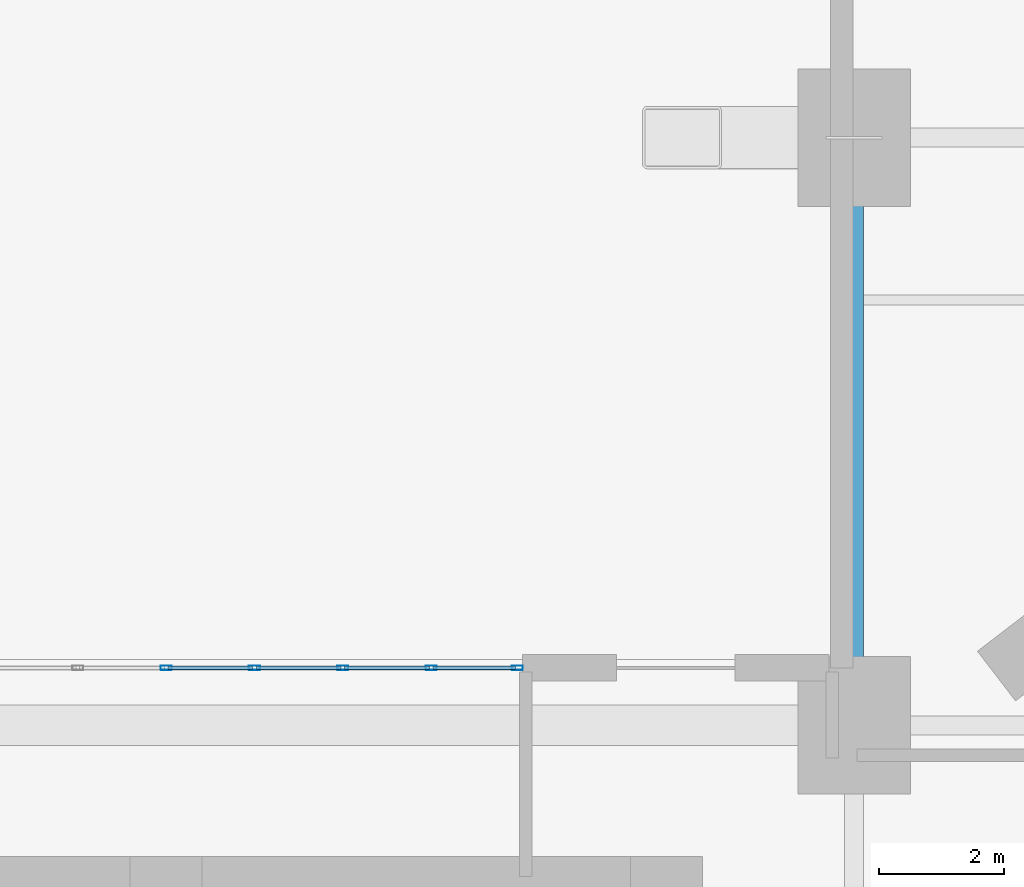
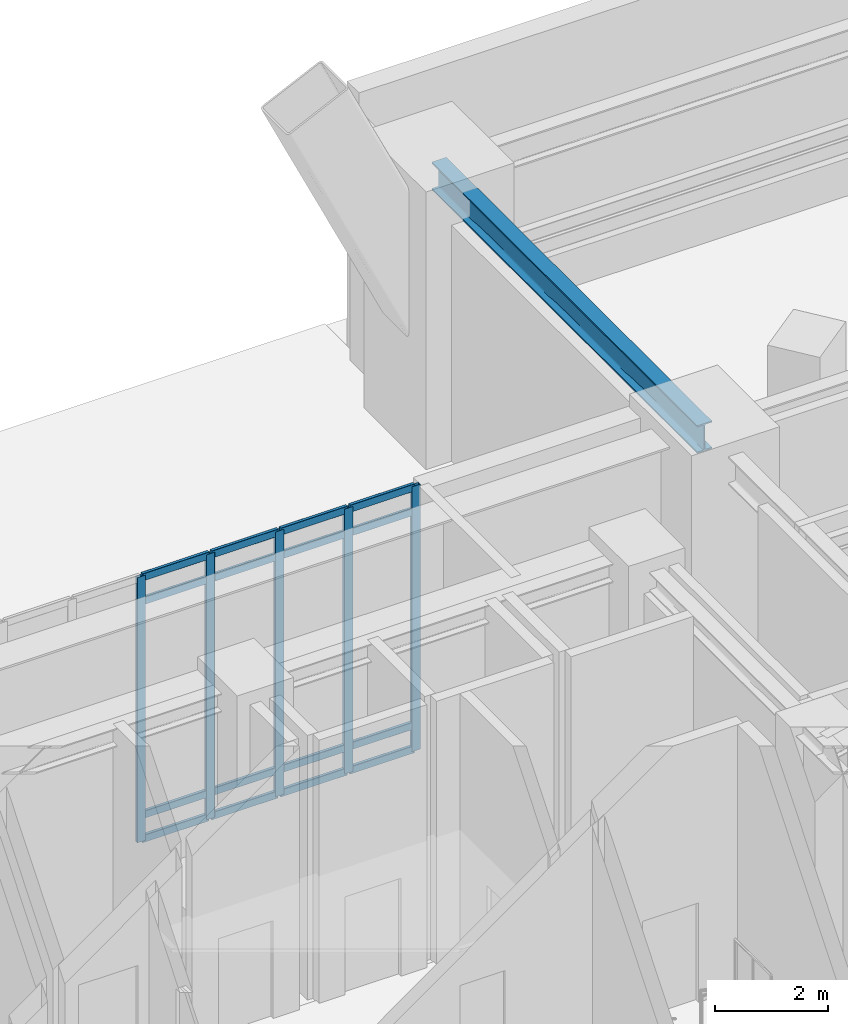
# One storey, part 12 of 27: 21 members, 1 beam, 1 element without a shape of its own.
"""IFC4 building model written with IfcOpenShell, lengths in metres."""

import ifcopenshell
import ifcopenshell.guid

model = None  # the IFC model being written
_history = None  # IfcOwnerHistory: only IFC2X3 demands one
_inside = {}  # id of a spatial element -> (the spatial element, [elements in it])
_under = {}  # id of a project, library or spatial element -> (it, [spatial elements below it])
_declared = {}  # id of a project -> (the project, [libraries it declares])
_typed = {}  # id of a type object -> (the type object, [elements of that type])
_made_of = {}  # id of a material, layer set ... -> (it, [elements and type objects made of it])


def new_model(schema):
    """Start an empty IFC model of exactly this schema.

    Asked for "IFC4X3", IfcOpenShell would pick the latest addendum, in which some entities
    have other attributes; the version numbers below select the first issue.
    IFC2X3 requires an IfcOwnerHistory on every rooted entity: one is made here for all.
    """
    global model, _history
    if schema == "IFC4X3":
        model = ifcopenshell.file(schema_version=(4, 3, 0, 0))
    else:
        model = ifcopenshell.file(schema=schema)
    _inside.clear()
    _under.clear()
    _declared.clear()
    _typed.clear()
    _made_of.clear()
    _history = None
    if model.schema == "IFC2X3":
        org = make("IfcOrganization", Name="unknown")
        user = make(
            "IfcPersonAndOrganization",
            ThePerson=make("IfcPerson", FamilyName="unknown"),
            TheOrganization=org,
        )
        app = make(
            "IfcApplication",
            ApplicationDeveloper=org,
            Version="unknown",
            ApplicationFullName="unknown",
            ApplicationIdentifier="unknown",
        )
        _history = make(
            "IfcOwnerHistory",
            OwningUser=user,
            OwningApplication=app,
            ChangeAction="ADDED",
            CreationDate=0,
        )
    return model


def make(cls, **values):
    """One entity of the class cls with the attributes given. An attribute that is None is left unset."""
    return model.create_entity(
        cls, **{name: value for name, value in values.items() if value is not None}
    )


def rooted(cls, **values):
    """An entity with a GlobalId (a new one), such as an element, a storey or a relation."""
    return make(cls, GlobalId=ifcopenshell.guid.new(), OwnerHistory=_history, **values)


def si_unit(unit_type, name, prefix=None):
    """IfcSIUnit, for example si_unit("LENGTHUNIT", "METRE", prefix="MILLI")."""
    return make("IfcSIUnit", UnitType=unit_type, Prefix=prefix, Name=name)


def assignment(units):
    """IfcUnitAssignment: the units of a project."""
    return None if units is None else make("IfcUnitAssignment", Units=units)


def point(xyz):
    """IfcCartesianPoint."""
    return None if xyz is None else make("IfcCartesianPoint", Coordinates=xyz)


def direction(xyz):
    """IfcDirection."""
    return None if xyz is None else make("IfcDirection", DirectionRatios=xyz)


def frame(location, z_axis=None, x_axis=None):
    """IfcAxis2Placement3D, a coordinate frame: its origin and axes. An axis left out is left unset."""
    return make(
        "IfcAxis2Placement3D",
        Location=point(location),
        Axis=direction(z_axis),
        RefDirection=direction(x_axis),
    )


def frame_2d(location, x_axis=None):
    """IfcAxis2Placement2D, a coordinate frame in the plane: its origin and x axis."""
    return make(
        "IfcAxis2Placement2D", Location=point(location), RefDirection=direction(x_axis)
    )


def origin():
    """The frame at (0, 0, 0) with its axes left unset."""
    return frame((0.0, 0.0, 0.0))


def origin_2d():
    """The frame at (0, 0) in the plane with its x axis left unset."""
    return frame_2d((0.0, 0.0))


def place(relative_to, where):
    """IfcLocalPlacement: puts the frame where relative to a parent placement (None: the world)."""
    return make(
        "IfcLocalPlacement", PlacementRelTo=relative_to, RelativePlacement=where
    )


def context(
    kind, dimensions, precision=None, world=None, true_north=None, identifier=None
):
    """IfcGeometricRepresentationContext, for example the 3D "Model" context."""
    return make(
        "IfcGeometricRepresentationContext",
        ContextIdentifier=identifier,
        ContextType=kind,
        CoordinateSpaceDimension=dimensions,
        Precision=precision,
        WorldCoordinateSystem=world,
        TrueNorth=true_north,
    )


def subcontext(parent, identifier, kind, view, scale=None):
    """IfcGeometricRepresentationSubContext, for example "Body" below "Model"."""
    return make(
        "IfcGeometricRepresentationSubContext",
        ContextIdentifier=identifier,
        ContextType=kind,
        ParentContext=parent,
        TargetScale=scale,
        TargetView=view,
    )


def project(units=None, contexts=None):
    """IfcProject with its units and contexts."""
    return rooted(
        "IfcProject",
        Name="project",
        RepresentationContexts=contexts,
        UnitsInContext=assignment(units),
    )


def spatial(cls, under=None, at=None, **own):
    """A site, building, storey or space (cls), placed at a placement, below another one or the project."""
    s = rooted(cls, ObjectPlacement=at, **own)
    if under is not None:
        _under.setdefault(under.id(), (under, []))[1].append(s)
    return s


def profile(cls, at=None, kind="AREA", **sizes):
    """A parametric profile (cls). Its sizes go by their IFC names, for example OverallWidth=200.0."""
    return make(cls, ProfileType=kind, Position=at, **sizes)


def hollow_rectangle(**sizes):
    """IfcRectangleHollowProfileDef."""
    return profile("IfcRectangleHollowProfileDef", **sizes)


def i_section(**sizes):
    """IfcIShapeProfileDef."""
    return profile("IfcIShapeProfileDef", **sizes)


def extrude(swept, where, along, depth):
    """IfcExtrudedAreaSolid: the profile swept, set in the frame where, extruded along a direction by depth."""
    return make(
        "IfcExtrudedAreaSolid",
        SweptArea=swept,
        Position=where,
        ExtrudedDirection=direction(along),
        Depth=depth,
    )


def shape(context_of_items, identifier, shape_type, items):
    """IfcShapeRepresentation: the items that make up one representation, for example the "Body"."""
    return make(
        "IfcShapeRepresentation",
        ContextOfItems=context_of_items,
        RepresentationIdentifier=identifier,
        RepresentationType=shape_type,
        Items=items,
    )


def material(Name=None, Category=None):
    """IfcMaterial."""
    return make("IfcMaterial", Name=Name, Category=Category)


def layer(
    of_material, thickness, ventilated=None, Name=None, Category=None, Priority=None
):
    """IfcMaterialLayer: one layer of a wall or slab, of a material (None: an air gap)."""
    return make(
        "IfcMaterialLayer",
        Material=of_material,
        LayerThickness=thickness,
        IsVentilated=ventilated,
        Name=Name,
        Category=Category,
        Priority=Priority,
    )


def layer_set(layers, Name=None):
    """IfcMaterialLayerSet."""
    return make("IfcMaterialLayerSet", MaterialLayers=layers, LayerSetName=Name)


def material_profile(
    of_material, cross_section, Name=None, Category=None, Priority=None
):
    """IfcMaterialProfile: a cross section and its material."""
    return make(
        "IfcMaterialProfile",
        Name=Name,
        Material=of_material,
        Profile=cross_section,
        Priority=Priority,
        Category=Category,
    )


def profile_set(profiles, Name=None, composite=None):
    """IfcMaterialProfileSet."""
    return make(
        "IfcMaterialProfileSet",
        Name=Name,
        MaterialProfiles=profiles,
        CompositeProfile=composite,
    )


def made_of(thing, what):
    """Note that an element or type object is made of a material, layer set ...; save() writes the relation."""
    if what is not None:
        _made_of.setdefault(what.id(), (what, []))[1].append(thing)
    return thing


def type_object(cls, material=None, **own):
    """A type object (cls), such as IfcWallType, which elements share."""
    return made_of(rooted(cls, **own), material)


def element(
    cls,
    number,
    at=None,
    inside=None,
    cuts=None,
    type_object=None,
    material=None,
    context=None,
    identifier="Body",
    shape_type=None,
    held_by="IfcProductDefinitionShape",
    body=None,
    shapes=None,
    **own,
):
    """One element of the class cls, such as IfcWall. Its Tag is "e" and its number.

    at: its placement. inside: the storey or other place that contains it. cuts: it is an
    opening in that element (IfcRelVoidsElement). A single representation is given by context,
    identifier, shape_type and body (its items); several are given by shapes. held_by: the class
    of the entity that holds the representations. save() writes the other relations.
    """
    e = rooted(cls, Tag="e%d" % number, ObjectPlacement=at, **own)
    if body is not None:
        shapes = [shape(context, identifier, shape_type, body)]
    if shapes is not None:
        e.Representation = make(held_by, Representations=shapes)
    if inside is not None:
        _inside.setdefault(inside.id(), (inside, []))[1].append(e)
    if cuts is not None:
        rooted(
            "IfcRelVoidsElement", RelatingBuildingElement=cuts, RelatedOpeningElement=e
        )
    if type_object is not None:
        _typed.setdefault(type_object.id(), (type_object, []))[1].append(e)
    return made_of(e, material)


def aggregate(whole, parts):
    """IfcRelAggregates: a whole, such as a stair, and the parts it consists of."""
    return rooted("IfcRelAggregates", RelatingObject=whole, RelatedObjects=parts)


def save(model, path):
    """Write the relations noted so far, then the file.

    IfcRelAggregates (storeys below a building ...), IfcRelContainedInSpatialStructure (elements
    in a storey), IfcRelDefinesByType, IfcRelAssociatesMaterial and IfcRelDeclares: one each for
    every whole, place, type object, material and project.
    """
    for whole, parts in _under.values():
        aggregate(whole, parts)
    for where, things in _inside.values():
        rooted(
            "IfcRelContainedInSpatialStructure",
            RelatedElements=things,
            RelatingStructure=where,
        )
    for kind, things in _typed.values():
        rooted("IfcRelDefinesByType", RelatedObjects=things, RelatingType=kind)
    for what, things in _made_of.values():
        rooted("IfcRelAssociatesMaterial", RelatedObjects=things, RelatingMaterial=what)
    for by, libraries in _declared.values():
        rooted("IfcRelDeclares", RelatingContext=by, RelatedDefinitions=libraries)
    model.write(path)


model = new_model("IFC4")

# Units and contexts
model_context = context("Model", 3, precision=1e-05, world=origin(), true_north=direction((0.0, 1.0)))
body_context = subcontext(model_context, "Body", "Model", "MODEL_VIEW")
ifc_project = project(units=[si_unit("LENGTHUNIT", "METRE"), si_unit("AREAUNIT", "SQUARE_METRE"), si_unit("VOLUMEUNIT", "CUBIC_METRE"), si_unit("PLANEANGLEUNIT", "RADIAN"), si_unit("MASSUNIT", "GRAM", prefix="KILO")], contexts=[model_context])

# Site, building, storey
site_placement = place(None, origin())
site = spatial("IfcSite", under=ifc_project, at=site_placement, CompositionType="ELEMENT")
building_placement = place(site_placement, origin())
building = spatial("IfcBuilding", under=site, at=building_placement, Name="Ndelora Gate Hotel", CompositionType="ELEMENT")
storey_placement = place(building_placement, origin())
storey = spatial("IfcBuildingStorey", under=building, at=storey_placement, Name="L00", CompositionType="ELEMENT", Elevation=0.0)

# Beam
ifc_material_1 = material(Name="Steel S355", Category="steel")
ifc_material_profile_1 = material_profile(ifc_material_1, i_section(OverallWidth=0.300048828125, OverallDepth=0.60009765625, WebThickness=0.015380859375, FlangeThickness=0.030029296875, FilletRadius=0.027099609375, at=origin_2d()), Name="HEB 600")
ifc_profile_set_1 = profile_set([ifc_material_profile_1], Name="Steel S355")
beam_type = type_object("IfcBeamType", Name="BM-POD-600", PredefinedType="BEAM", material=ifc_profile_set_1)
beam_placement = place(storey_placement, frame((11.0, 9.39990234375, 5.419921875), z_axis=(0.0, 1.0, 0.0), x_axis=(-1.0, 0.0, 0.0)))
element("IfcBeam", 1, at=beam_placement, inside=storey, type_object=beam_type, Name="L00 Podium Longitudinal Girder X=+11.0", PredefinedType="BEAM", context=body_context, shape_type="SweptSolid", body=[
    extrude(i_section(OverallWidth=0.300048828125, OverallDepth=0.60009765625, WebThickness=0.015380859375, FlangeThickness=0.030029296875, FilletRadius=0.027099609375, at=origin_2d()), origin(), (0.0, 0.0, 1.0), 9.400146484375),
])

# Curtain wall, members
ifc_material_2 = material(Name="Bronze Anodised Unitised Aluminium and Low-E Glass", Category="aluminium")
ifc_layer = layer(ifc_material_2, 0.239990234375)
ifc_layer_set = layer_set([ifc_layer], Name="Bronze Anodised Unitised Aluminium and Low-E Glass")
curtain_wall_type = type_object("IfcCurtainWallType", Name="CW-SYS-1", PredefinedType="NOTDEFINED", material=ifc_layer_set)
curtain_wall_placement = place(storey_placement, origin())
curtain_wall = element("IfcCurtainWall", 2, at=curtain_wall_placement, inside=storey, type_object=curtain_wall_type, Name="L00 North Portal Arch Concourse Curtain Wall CW1", PredefinedType="NOTDEFINED")
ifc_material_3 = material(Name="Bronze Anodised Aluminium 6063-T6", Category="aluminium")
ifc_material_profile_2 = material_profile(ifc_material_3, hollow_rectangle(XDim=0.070068359375, YDim=0.179931640625, WallThickness=0.0048828125, InnerFilletRadius=0.0048828125, OuterFilletRadius=0.010009765625, at=origin_2d()), Name="ALU 180x70x5")
ifc_profile_set_2 = profile_set([ifc_material_profile_2], Name="Bronze Anodised Aluminium 6063-T6")
member_type_1 = type_object("IfcMemberType", Name="MB-CW-MUL180", PredefinedType="MULLION", material=ifc_profile_set_2)
member_1_placement = place(storey_placement, frame((5.614990234375, 10.320068359375, -0.00390625), z_axis=(0.0, 0.0, 1.0), x_axis=(0.0, -1.0, 0.0)))
member_1 = element("IfcMember", 3, at=member_1_placement, type_object=member_type_1, Name="CW1 mullion 1", PredefinedType="MULLION", context=body_context, shape_type="SweptSolid", body=[
    extrude(hollow_rectangle(XDim=0.070068359375, YDim=0.179931640625, WallThickness=0.0048828125, InnerFilletRadius=0.0048828125, OuterFilletRadius=0.010009765625, at=origin_2d()), origin(), (0.0, 0.0, 1.0), 5.72802734375),
])
member_2_placement = place(storey_placement, frame((4.237548828125, 10.320068359375, -0.00390625), z_axis=(0.0, 0.0, 1.0), x_axis=(0.0, -1.0, 0.0)))
member_2 = element("IfcMember", 4, at=member_2_placement, type_object=member_type_1, Name="CW1 mullion 2", PredefinedType="MULLION", context=body_context, shape_type="SweptSolid", body=[
    extrude(hollow_rectangle(XDim=0.070068359375, YDim=0.179931640625, WallThickness=0.0048828125, InnerFilletRadius=0.0048828125, OuterFilletRadius=0.010009765625, at=origin_2d()), origin(), (0.0, 0.0, 1.0), 5.72802734375),
])
member_3_placement = place(storey_placement, frame((2.824951171875, 10.320068359375, -0.00390625), z_axis=(0.0, 0.0, 1.0), x_axis=(0.0, -1.0, 0.0)))
member_3 = element("IfcMember", 5, at=member_3_placement, type_object=member_type_1, Name="CW1 mullion 3", PredefinedType="MULLION", context=body_context, shape_type="SweptSolid", body=[
    extrude(hollow_rectangle(XDim=0.070068359375, YDim=0.179931640625, WallThickness=0.0048828125, InnerFilletRadius=0.0048828125, OuterFilletRadius=0.010009765625, at=origin_2d()), origin(), (0.0, 0.0, 1.0), 5.72802734375),
])
member_4_placement = place(storey_placement, frame((1.41259765625, 10.320068359375, -0.00390625), z_axis=(0.0, 0.0, 1.0), x_axis=(0.0, -1.0, 0.0)))
member_4 = element("IfcMember", 6, at=member_4_placement, type_object=member_type_1, Name="CW1 mullion 4", PredefinedType="MULLION", context=body_context, shape_type="SweptSolid", body=[
    extrude(hollow_rectangle(XDim=0.070068359375, YDim=0.179931640625, WallThickness=0.0048828125, InnerFilletRadius=0.0048828125, OuterFilletRadius=0.010009765625, at=origin_2d()), origin(), (0.0, 0.0, 1.0), 5.72802734375),
])
member_5_placement = place(storey_placement, frame((0.0, 10.320068359375, -0.00390625), z_axis=(0.0, 0.0, 1.0), x_axis=(0.0, -1.0, 0.0)))
member_5 = element("IfcMember", 7, at=member_5_placement, type_object=member_type_1, Name="CW1 mullion 5", PredefinedType="MULLION", context=body_context, shape_type="SweptSolid", body=[
    extrude(hollow_rectangle(XDim=0.070068359375, YDim=0.179931640625, WallThickness=0.0048828125, InnerFilletRadius=0.0048828125, OuterFilletRadius=0.010009765625, at=origin_2d()), origin(), (0.0, 0.0, 1.0), 5.72802734375),
])
ifc_material_profile_3 = material_profile(ifc_material_3, hollow_rectangle(XDim=0.06494140625, YDim=0.159912109375, WallThickness=0.00390625, InnerFilletRadius=0.00390625, OuterFilletRadius=0.008056640625, at=origin_2d()), Name="ALU 160x65x4")
ifc_profile_set_3 = profile_set([ifc_material_profile_3], Name="Bronze Anodised Aluminium 6063-T6")
member_type_2 = type_object("IfcMemberType", Name="MB-CW-TRN150", PredefinedType="USERDEFINED", material=ifc_profile_set_3)
member_6_placement = place(storey_placement, frame((5.5859375, 10.320068359375, 0.032470703125), z_axis=(-1.0, 0.0, 0.0), x_axis=(0.0, -1.0, 0.0)))
member_6 = element("IfcMember", 8, at=member_6_placement, type_object=member_type_2, Name="CW1 transom 1.1", ObjectType="TRANSOM", PredefinedType="USERDEFINED", context=body_context, shape_type="SweptSolid", body=[
    extrude(hollow_rectangle(XDim=0.06494140625, YDim=0.159912109375, WallThickness=0.00390625, InnerFilletRadius=0.00390625, OuterFilletRadius=0.008056640625, at=origin_2d()), origin(), (0.0, 0.0, 1.0), 1.3193359375),
])
member_7_placement = place(storey_placement, frame((5.5859375, 10.320068359375, 0.550048828125), z_axis=(-1.0, 0.0, 0.0), x_axis=(0.0, -1.0, 0.0)))
member_7 = element("IfcMember", 9, at=member_7_placement, type_object=member_type_2, Name="CW1 transom 1.2", ObjectType="TRANSOM", PredefinedType="USERDEFINED", context=body_context, shape_type="SweptSolid", body=[
    extrude(hollow_rectangle(XDim=0.06494140625, YDim=0.159912109375, WallThickness=0.00390625, InnerFilletRadius=0.00390625, OuterFilletRadius=0.008056640625, at=origin_2d()), origin(), (0.0, 0.0, 1.0), 1.3193359375),
])
member_8_placement = place(storey_placement, frame((5.5859375, 10.320068359375, 5.169921875), z_axis=(-1.0, 0.0, 0.0), x_axis=(0.0, -1.0, 0.0)))
member_8 = element("IfcMember", 10, at=member_8_placement, type_object=member_type_2, Name="CW1 transom 1.3", ObjectType="TRANSOM", PredefinedType="USERDEFINED", context=body_context, shape_type="SweptSolid", body=[
    extrude(hollow_rectangle(XDim=0.06494140625, YDim=0.159912109375, WallThickness=0.00390625, InnerFilletRadius=0.00390625, OuterFilletRadius=0.008056640625, at=origin_2d()), origin(), (0.0, 0.0, 1.0), 1.3193359375),
])
member_9_placement = place(storey_placement, frame((5.5859375, 10.320068359375, 5.6875), z_axis=(-1.0, 0.0, 0.0), x_axis=(0.0, -1.0, 0.0)))
member_9 = element("IfcMember", 11, at=member_9_placement, type_object=member_type_2, Name="CW1 transom 1.4", ObjectType="TRANSOM", PredefinedType="USERDEFINED", context=body_context, shape_type="SweptSolid", body=[
    extrude(hollow_rectangle(XDim=0.06494140625, YDim=0.159912109375, WallThickness=0.00390625, InnerFilletRadius=0.00390625, OuterFilletRadius=0.008056640625, at=origin_2d()), origin(), (0.0, 0.0, 1.0), 1.3193359375),
])
member_10_placement = place(storey_placement, frame((4.20849609375, 10.320068359375, 0.032470703125), z_axis=(-1.0, 0.0, 0.0), x_axis=(0.0, -1.0, 0.0)))
member_10 = element("IfcMember", 12, at=member_10_placement, type_object=member_type_2, Name="CW1 transom 2.1", ObjectType="TRANSOM", PredefinedType="USERDEFINED", context=body_context, shape_type="SweptSolid", body=[
    extrude(hollow_rectangle(XDim=0.06494140625, YDim=0.159912109375, WallThickness=0.00390625, InnerFilletRadius=0.00390625, OuterFilletRadius=0.008056640625, at=origin_2d()), origin(), (0.0, 0.0, 1.0), 1.3544921875),
])
member_11_placement = place(storey_placement, frame((4.20849609375, 10.320068359375, 0.550048828125), z_axis=(-1.0, 0.0, 0.0), x_axis=(0.0, -1.0, 0.0)))
member_11 = element("IfcMember", 13, at=member_11_placement, type_object=member_type_2, Name="CW1 transom 2.2", ObjectType="TRANSOM", PredefinedType="USERDEFINED", context=body_context, shape_type="SweptSolid", body=[
    extrude(hollow_rectangle(XDim=0.06494140625, YDim=0.159912109375, WallThickness=0.00390625, InnerFilletRadius=0.00390625, OuterFilletRadius=0.008056640625, at=origin_2d()), origin(), (0.0, 0.0, 1.0), 1.3544921875),
])
member_12_placement = place(storey_placement, frame((4.20849609375, 10.320068359375, 5.169921875), z_axis=(-1.0, 0.0, 0.0), x_axis=(0.0, -1.0, 0.0)))
member_12 = element("IfcMember", 14, at=member_12_placement, type_object=member_type_2, Name="CW1 transom 2.3", ObjectType="TRANSOM", PredefinedType="USERDEFINED", context=body_context, shape_type="SweptSolid", body=[
    extrude(hollow_rectangle(XDim=0.06494140625, YDim=0.159912109375, WallThickness=0.00390625, InnerFilletRadius=0.00390625, OuterFilletRadius=0.008056640625, at=origin_2d()), origin(), (0.0, 0.0, 1.0), 1.3544921875),
])
member_13_placement = place(storey_placement, frame((4.20849609375, 10.320068359375, 5.6875), z_axis=(-1.0, 0.0, 0.0), x_axis=(0.0, -1.0, 0.0)))
member_13 = element("IfcMember", 15, at=member_13_placement, type_object=member_type_2, Name="CW1 transom 2.4", ObjectType="TRANSOM", PredefinedType="USERDEFINED", context=body_context, shape_type="SweptSolid", body=[
    extrude(hollow_rectangle(XDim=0.06494140625, YDim=0.159912109375, WallThickness=0.00390625, InnerFilletRadius=0.00390625, OuterFilletRadius=0.008056640625, at=origin_2d()), origin(), (0.0, 0.0, 1.0), 1.3544921875),
])
member_14_placement = place(storey_placement, frame((2.7958984375, 10.320068359375, 0.032470703125), z_axis=(-1.0, 0.0, 0.0), x_axis=(0.0, -1.0, 0.0)))
member_14 = element("IfcMember", 16, at=member_14_placement, type_object=member_type_2, Name="CW1 transom 3.1", ObjectType="TRANSOM", PredefinedType="USERDEFINED", context=body_context, shape_type="SweptSolid", body=[
    extrude(hollow_rectangle(XDim=0.06494140625, YDim=0.159912109375, WallThickness=0.00390625, InnerFilletRadius=0.00390625, OuterFilletRadius=0.008056640625, at=origin_2d()), origin(), (0.0, 0.0, 1.0), 1.3544921875),
])
member_15_placement = place(storey_placement, frame((2.7958984375, 10.320068359375, 0.550048828125), z_axis=(-1.0, 0.0, 0.0), x_axis=(0.0, -1.0, 0.0)))
member_15 = element("IfcMember", 17, at=member_15_placement, type_object=member_type_2, Name="CW1 transom 3.2", ObjectType="TRANSOM", PredefinedType="USERDEFINED", context=body_context, shape_type="SweptSolid", body=[
    extrude(hollow_rectangle(XDim=0.06494140625, YDim=0.159912109375, WallThickness=0.00390625, InnerFilletRadius=0.00390625, OuterFilletRadius=0.008056640625, at=origin_2d()), origin(), (0.0, 0.0, 1.0), 1.3544921875),
])
member_16_placement = place(storey_placement, frame((2.7958984375, 10.320068359375, 5.169921875), z_axis=(-1.0, 0.0, 0.0), x_axis=(0.0, -1.0, 0.0)))
member_16 = element("IfcMember", 18, at=member_16_placement, type_object=member_type_2, Name="CW1 transom 3.3", ObjectType="TRANSOM", PredefinedType="USERDEFINED", context=body_context, shape_type="SweptSolid", body=[
    extrude(hollow_rectangle(XDim=0.06494140625, YDim=0.159912109375, WallThickness=0.00390625, InnerFilletRadius=0.00390625, OuterFilletRadius=0.008056640625, at=origin_2d()), origin(), (0.0, 0.0, 1.0), 1.3544921875),
])
member_17_placement = place(storey_placement, frame((2.7958984375, 10.320068359375, 5.6875), z_axis=(-1.0, 0.0, 0.0), x_axis=(0.0, -1.0, 0.0)))
member_17 = element("IfcMember", 19, at=member_17_placement, type_object=member_type_2, Name="CW1 transom 3.4", ObjectType="TRANSOM", PredefinedType="USERDEFINED", context=body_context, shape_type="SweptSolid", body=[
    extrude(hollow_rectangle(XDim=0.06494140625, YDim=0.159912109375, WallThickness=0.00390625, InnerFilletRadius=0.00390625, OuterFilletRadius=0.008056640625, at=origin_2d()), origin(), (0.0, 0.0, 1.0), 1.3544921875),
])
member_18_placement = place(storey_placement, frame((1.383544921875, 10.320068359375, 0.032470703125), z_axis=(-1.0, 0.0, 0.0), x_axis=(0.0, -1.0, 0.0)))
member_18 = element("IfcMember", 20, at=member_18_placement, type_object=member_type_2, Name="CW1 transom 4.1", ObjectType="TRANSOM", PredefinedType="USERDEFINED", context=body_context, shape_type="SweptSolid", body=[
    extrude(hollow_rectangle(XDim=0.06494140625, YDim=0.159912109375, WallThickness=0.00390625, InnerFilletRadius=0.00390625, OuterFilletRadius=0.008056640625, at=origin_2d()), origin(), (0.0, 0.0, 1.0), 1.3544921875),
])
member_19_placement = place(storey_placement, frame((1.383544921875, 10.320068359375, 0.550048828125), z_axis=(-1.0, 0.0, 0.0), x_axis=(0.0, -1.0, 0.0)))
member_19 = element("IfcMember", 21, at=member_19_placement, type_object=member_type_2, Name="CW1 transom 4.2", ObjectType="TRANSOM", PredefinedType="USERDEFINED", context=body_context, shape_type="SweptSolid", body=[
    extrude(hollow_rectangle(XDim=0.06494140625, YDim=0.159912109375, WallThickness=0.00390625, InnerFilletRadius=0.00390625, OuterFilletRadius=0.008056640625, at=origin_2d()), origin(), (0.0, 0.0, 1.0), 1.3544921875),
])
member_20_placement = place(storey_placement, frame((1.383544921875, 10.320068359375, 5.169921875), z_axis=(-1.0, 0.0, 0.0), x_axis=(0.0, -1.0, 0.0)))
member_20 = element("IfcMember", 22, at=member_20_placement, type_object=member_type_2, Name="CW1 transom 4.3", ObjectType="TRANSOM", PredefinedType="USERDEFINED", context=body_context, shape_type="SweptSolid", body=[
    extrude(hollow_rectangle(XDim=0.06494140625, YDim=0.159912109375, WallThickness=0.00390625, InnerFilletRadius=0.00390625, OuterFilletRadius=0.008056640625, at=origin_2d()), origin(), (0.0, 0.0, 1.0), 1.3544921875),
])
member_21_placement = place(storey_placement, frame((1.383544921875, 10.320068359375, 5.6875), z_axis=(-1.0, 0.0, 0.0), x_axis=(0.0, -1.0, 0.0)))
member_21 = element("IfcMember", 23, at=member_21_placement, type_object=member_type_2, Name="CW1 transom 4.4", ObjectType="TRANSOM", PredefinedType="USERDEFINED", context=body_context, shape_type="SweptSolid", body=[
    extrude(hollow_rectangle(XDim=0.06494140625, YDim=0.159912109375, WallThickness=0.00390625, InnerFilletRadius=0.00390625, OuterFilletRadius=0.008056640625, at=origin_2d()), origin(), (0.0, 0.0, 1.0), 1.3544921875),
])
aggregate(curtain_wall, [member_1, member_2, member_3, member_4, member_5, member_6, member_7, member_8, member_9, member_10, member_11, member_12, member_13, member_14, member_15, member_16, member_17, member_18, member_19, member_20, member_21])

save(model, "model.ifc")
